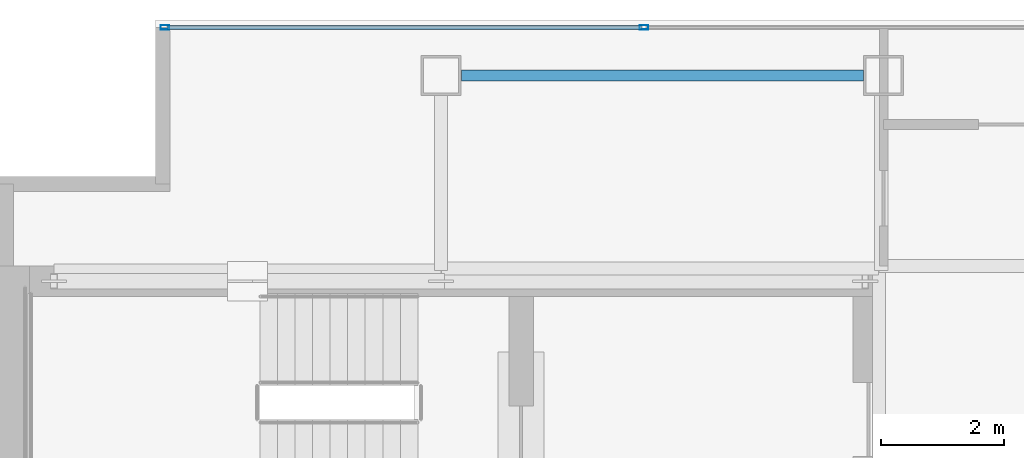
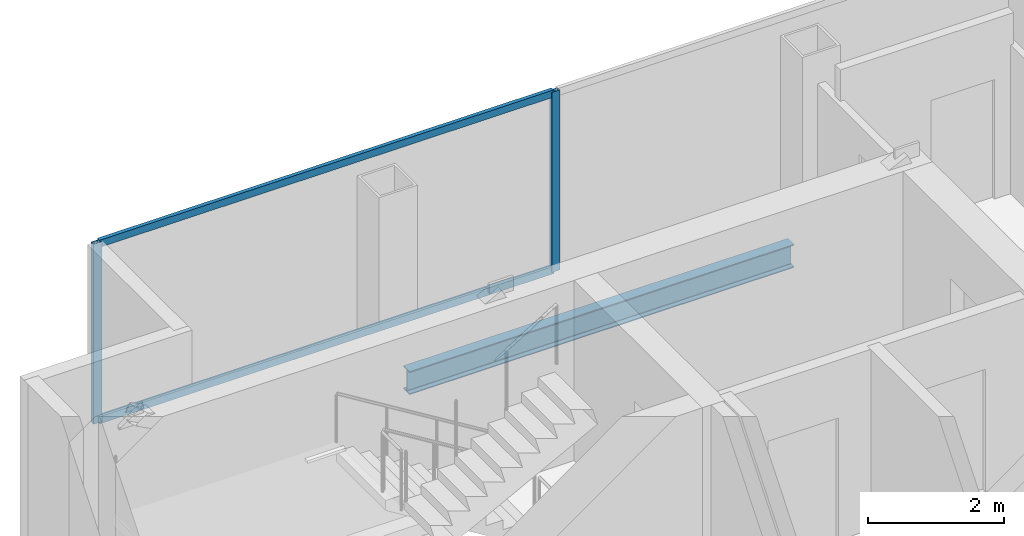
# One storey, part 17 of 23: 4 members, 1 beam, 1 element without a shape of its own.
"""IFC4 building model written with IfcOpenShell, lengths in metres."""

from ifc_helpers import new_model, si_unit, direction, frame, origin, origin_2d, place, context, subcontext, project, spatial, hollow_rectangle, i_section, extrude, material, material_profile, profile_set, type_object, element, aggregate, save


model = new_model("IFC4")

# Units and contexts
model_context = context("Model", 3, precision=1e-05, world=origin(), true_north=direction((0.0, 1.0)))
body_context = subcontext(model_context, "Body", "Model", "MODEL_VIEW")
ifc_project = project(units=[si_unit("LENGTHUNIT", "METRE"), si_unit("AREAUNIT", "SQUARE_METRE"), si_unit("VOLUMEUNIT", "CUBIC_METRE"), si_unit("PLANEANGLEUNIT", "RADIAN"), si_unit("MASSUNIT", "GRAM", prefix="KILO")], contexts=[model_context])

# Site, building, storey
site_placement = place(None, origin())
site = spatial("IfcSite", under=ifc_project, at=site_placement, CompositionType="ELEMENT")
building_placement = place(site_placement, origin())
building = spatial("IfcBuilding", under=site, at=building_placement, Name="Cobrela Telecom Tower", CompositionType="ELEMENT")
storey_placement = place(building_placement, frame((0.0, 0.0, 251.64990234375)))
storey = spatial("IfcBuildingStorey", under=building, at=storey_placement, Name="L65", CompositionType="ELEMENT", Elevation=251.64990234375)

# Beam
ifc_material_1 = material(Name="Steel ASTM A992 Grade 50", Category="steel")
ifc_material_profile_1 = material_profile(ifc_material_1, i_section(OverallWidth=0.179931640625, OverallDepth=0.4169921875, WebThickness=0.010986328125, FlangeThickness=0.01806640625, FilletRadius=0.011962890625, at=origin_2d()), Name="W16X57")
ifc_profile_set_1 = profile_set([ifc_material_profile_1], Name="Steel ASTM A992 Grade 50")
beam_type = type_object("IfcBeamType", Name="BM-SPAND-06", PredefinedType="SPANDREL", material=ifc_profile_set_1)
beam_placement = place(storey_placement, frame((7.530029296875, 39.10009765625, -0.468505859375), z_axis=(1.0, 0.0, 0.0), x_axis=(0.0, 1.0, 0.0)))
element("IfcBeam", 1, at=beam_placement, inside=storey, type_object=beam_type, Name="L65 Perimeter Spandrel X19", PredefinedType="SPANDREL", context=body_context, shape_type="SweptSolid", body=[
    extrude(i_section(OverallWidth=0.179931640625, OverallDepth=0.4169921875, WebThickness=0.010986328125, FlangeThickness=0.01806640625, FilletRadius=0.011962890625, at=origin_2d()), origin(), (0.0, 0.0, 1.0), 6.5400390625),
])

# Curtain wall, members
ifc_material_2 = material(Name="Anodized Bronze Aluminium 6063-T6", Category="aluminium")
curtain_wall_type = type_object("IfcCurtainWallType", Name="CW-SYS-OFF-HI", PredefinedType="USERDEFINED", material=ifc_material_2)
curtain_wall_placement = place(storey_placement, origin())
curtain_wall = element("IfcCurtainWall", 2, at=curtain_wall_placement, inside=storey, type_object=curtain_wall_type, Name="L65 Unitised Bronze Curtain Wall 05", ObjectType="UNITISED CURTAIN WALL", PredefinedType="USERDEFINED")
ifc_material_profile_2 = material_profile(ifc_material_2, hollow_rectangle(XDim=0.070068359375, YDim=0.139892578125, WallThickness=0.00390625, at=origin_2d()), Name="ALU 70x140x4")
ifc_profile_set_2 = profile_set([ifc_material_profile_2], Name="Anodized Bronze Aluminium 6063-T6")
member_type_1 = type_object("IfcMemberType", Name="CW-SYS-OFF-HI-MUL", PredefinedType="MULLION", material=ifc_profile_set_2)
member_1_placement = place(storey_placement, frame((2.705078125, 39.8798828125, 0.0), z_axis=(0.0, 0.0, 1.0), x_axis=(0.0, 1.0, 0.0)))
member_1 = element("IfcMember", 3, at=member_1_placement, type_object=member_type_1, Name="CW-OFF-HI mullion 1", PredefinedType="MULLION", context=body_context, shape_type="SweptSolid", body=[
    extrude(hollow_rectangle(XDim=0.070068359375, YDim=0.139892578125, WallThickness=0.00390625, at=origin_2d()), origin(), (0.0, 0.0, 1.0), 3.239990234375),
])
member_2_placement = place(storey_placement, frame((10.5, 39.8798828125, 0.0), z_axis=(0.0, 0.0, 1.0), x_axis=(0.0, 1.0, 0.0)))
member_2 = element("IfcMember", 4, at=member_2_placement, type_object=member_type_1, Name="CW-OFF-HI mullion 2", PredefinedType="MULLION", context=body_context, shape_type="SweptSolid", body=[
    extrude(hollow_rectangle(XDim=0.070068359375, YDim=0.139892578125, WallThickness=0.00390625, at=origin_2d()), origin(), (0.0, 0.0, 1.0), 3.239990234375),
])
ifc_material_profile_3 = material_profile(ifc_material_2, hollow_rectangle(XDim=0.06494140625, YDim=0.1298828125, WallThickness=0.00390625, at=origin_2d()), Name="ALU 65x130x4")
ifc_profile_set_3 = profile_set([ifc_material_profile_3], Name="Anodized Bronze Aluminium 6063-T6")
member_type_2 = type_object("IfcMemberType", Name="CW-SYS-OFF-HI-TRN", PredefinedType="USERDEFINED", material=ifc_profile_set_3)
member_3_placement = place(storey_placement, frame((2.739990234375, 39.8798828125, 0.03271484375), z_axis=(1.0, 0.0, 0.0), x_axis=(0.0, 1.0, 0.0)))
member_3 = element("IfcMember", 5, at=member_3_placement, type_object=member_type_2, Name="CW-OFF-HI transom 1.1", ObjectType="TRANSOM", PredefinedType="USERDEFINED", context=body_context, shape_type="SweptSolid", body=[
    extrude(hollow_rectangle(XDim=0.06494140625, YDim=0.1298828125, WallThickness=0.00390625, at=origin_2d()), origin(), (0.0, 0.0, 1.0), 7.72509765625),
])
member_4_placement = place(storey_placement, frame((2.739990234375, 39.8798828125, 3.20751953125), z_axis=(1.0, 0.0, 0.0), x_axis=(0.0, 1.0, 0.0)))
member_4 = element("IfcMember", 6, at=member_4_placement, type_object=member_type_2, Name="CW-OFF-HI transom 1.2", ObjectType="TRANSOM", PredefinedType="USERDEFINED", context=body_context, shape_type="SweptSolid", body=[
    extrude(hollow_rectangle(XDim=0.06494140625, YDim=0.1298828125, WallThickness=0.00390625, at=origin_2d()), origin(), (0.0, 0.0, 1.0), 7.72509765625),
])
aggregate(curtain_wall, [member_1, member_2, member_3, member_4])

save(model, "model.ifc")
